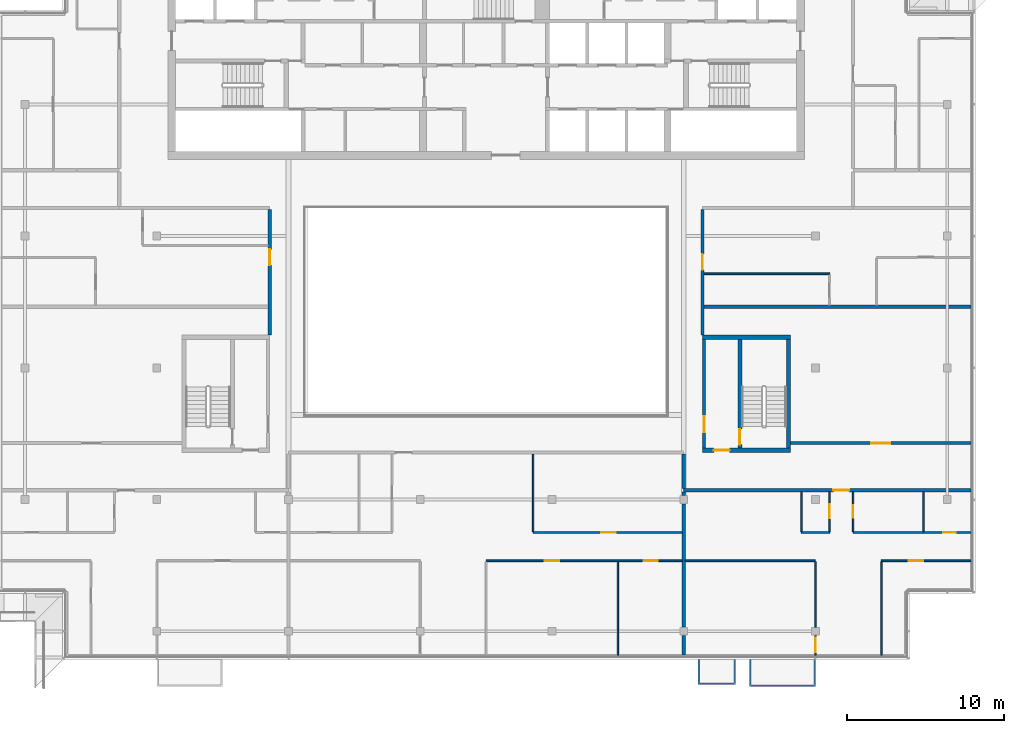
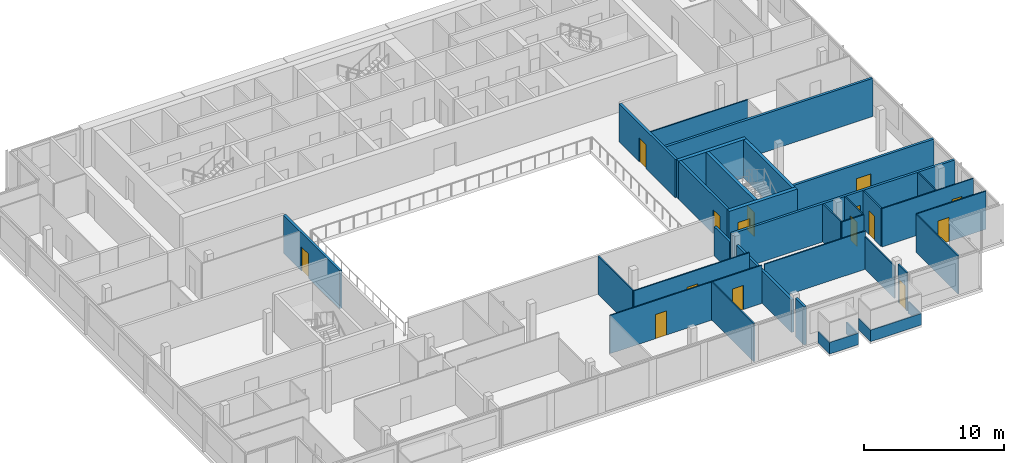
# One storey, part 17 of 24: 32 walls, 15 doors, 15 openings.
"""IFC4 building model written with IfcOpenShell, lengths in metres."""

import ifcopenshell
import ifcopenshell.guid

model = None  # the IFC model being written
_history = None  # IfcOwnerHistory: only IFC2X3 demands one
_inside = {}  # id of a spatial element -> (the spatial element, [elements in it])
_under = {}  # id of a project, library or spatial element -> (it, [spatial elements below it])
_declared = {}  # id of a project -> (the project, [libraries it declares])
_typed = {}  # id of a type object -> (the type object, [elements of that type])
_made_of = {}  # id of a material, layer set ... -> (it, [elements and type objects made of it])


def new_model(schema):
    """Start an empty IFC model of exactly this schema.

    Asked for "IFC4X3", IfcOpenShell would pick the latest addendum, in which some entities
    have other attributes; the version numbers below select the first issue.
    IFC2X3 requires an IfcOwnerHistory on every rooted entity: one is made here for all.
    """
    global model, _history
    if schema == "IFC4X3":
        model = ifcopenshell.file(schema_version=(4, 3, 0, 0))
    else:
        model = ifcopenshell.file(schema=schema)
    _inside.clear()
    _under.clear()
    _declared.clear()
    _typed.clear()
    _made_of.clear()
    _history = None
    if model.schema == "IFC2X3":
        org = make("IfcOrganization", Name="unknown")
        user = make(
            "IfcPersonAndOrganization",
            ThePerson=make("IfcPerson", FamilyName="unknown"),
            TheOrganization=org,
        )
        app = make(
            "IfcApplication",
            ApplicationDeveloper=org,
            Version="unknown",
            ApplicationFullName="unknown",
            ApplicationIdentifier="unknown",
        )
        _history = make(
            "IfcOwnerHistory",
            OwningUser=user,
            OwningApplication=app,
            ChangeAction="ADDED",
            CreationDate=0,
        )
    return model


def make(cls, **values):
    """One entity of the class cls with the attributes given. An attribute that is None is left unset."""
    return model.create_entity(
        cls, **{name: value for name, value in values.items() if value is not None}
    )


def rooted(cls, **values):
    """An entity with a GlobalId (a new one), such as an element, a storey or a relation."""
    return make(cls, GlobalId=ifcopenshell.guid.new(), OwnerHistory=_history, **values)


def si_unit(unit_type, name, prefix=None):
    """IfcSIUnit, for example si_unit("LENGTHUNIT", "METRE", prefix="MILLI")."""
    return make("IfcSIUnit", UnitType=unit_type, Prefix=prefix, Name=name)


def assignment(units):
    """IfcUnitAssignment: the units of a project."""
    return None if units is None else make("IfcUnitAssignment", Units=units)


def point(xyz):
    """IfcCartesianPoint."""
    return None if xyz is None else make("IfcCartesianPoint", Coordinates=xyz)


def direction(xyz):
    """IfcDirection."""
    return None if xyz is None else make("IfcDirection", DirectionRatios=xyz)


def frame(location, z_axis=None, x_axis=None):
    """IfcAxis2Placement3D, a coordinate frame: its origin and axes. An axis left out is left unset."""
    return make(
        "IfcAxis2Placement3D",
        Location=point(location),
        Axis=direction(z_axis),
        RefDirection=direction(x_axis),
    )


def frame_2d(location, x_axis=None):
    """IfcAxis2Placement2D, a coordinate frame in the plane: its origin and x axis."""
    return make(
        "IfcAxis2Placement2D", Location=point(location), RefDirection=direction(x_axis)
    )


def origin():
    """The frame at (0, 0, 0) with its axes left unset."""
    return frame((0.0, 0.0, 0.0))


def place(relative_to, where):
    """IfcLocalPlacement: puts the frame where relative to a parent placement (None: the world)."""
    return make(
        "IfcLocalPlacement", PlacementRelTo=relative_to, RelativePlacement=where
    )


def context(
    kind, dimensions, precision=None, world=None, true_north=None, identifier=None
):
    """IfcGeometricRepresentationContext, for example the 3D "Model" context."""
    return make(
        "IfcGeometricRepresentationContext",
        ContextIdentifier=identifier,
        ContextType=kind,
        CoordinateSpaceDimension=dimensions,
        Precision=precision,
        WorldCoordinateSystem=world,
        TrueNorth=true_north,
    )


def subcontext(parent, identifier, kind, view, scale=None):
    """IfcGeometricRepresentationSubContext, for example "Body" below "Model"."""
    return make(
        "IfcGeometricRepresentationSubContext",
        ContextIdentifier=identifier,
        ContextType=kind,
        ParentContext=parent,
        TargetScale=scale,
        TargetView=view,
    )


def project(units=None, contexts=None):
    """IfcProject with its units and contexts."""
    return rooted(
        "IfcProject",
        Name="project",
        RepresentationContexts=contexts,
        UnitsInContext=assignment(units),
    )


def spatial(cls, under=None, at=None, **own):
    """A site, building, storey or space (cls), placed at a placement, below another one or the project."""
    s = rooted(cls, ObjectPlacement=at, **own)
    if under is not None:
        _under.setdefault(under.id(), (under, []))[1].append(s)
    return s


def polyline(points):
    """IfcPolyline through the points."""
    return make("IfcPolyline", Points=[point(p) for p in points])


def profile(cls, at=None, kind="AREA", **sizes):
    """A parametric profile (cls). Its sizes go by their IFC names, for example OverallWidth=200.0."""
    return make(cls, ProfileType=kind, Position=at, **sizes)


def rectangle(**sizes):
    """IfcRectangleProfileDef."""
    return profile("IfcRectangleProfileDef", **sizes)


def outline(outer, holes=None, kind="AREA"):
    """IfcArbitraryClosedProfileDef: a profile drawn as a closed curve; with holes, ...WithVoids."""
    if holes is None:
        return make("IfcArbitraryClosedProfileDef", ProfileType=kind, OuterCurve=outer)
    return make(
        "IfcArbitraryProfileDefWithVoids",
        ProfileType=kind,
        OuterCurve=outer,
        InnerCurves=holes,
    )


def extrude(swept, where, along, depth):
    """IfcExtrudedAreaSolid: the profile swept, set in the frame where, extruded along a direction by depth."""
    return make(
        "IfcExtrudedAreaSolid",
        SweptArea=swept,
        Position=where,
        ExtrudedDirection=direction(along),
        Depth=depth,
    )


def shape(context_of_items, identifier, shape_type, items):
    """IfcShapeRepresentation: the items that make up one representation, for example the "Body"."""
    return make(
        "IfcShapeRepresentation",
        ContextOfItems=context_of_items,
        RepresentationIdentifier=identifier,
        RepresentationType=shape_type,
        Items=items,
    )


def material(Name=None, Category=None):
    """IfcMaterial."""
    return make("IfcMaterial", Name=Name, Category=Category)


def layer(
    of_material, thickness, ventilated=None, Name=None, Category=None, Priority=None
):
    """IfcMaterialLayer: one layer of a wall or slab, of a material (None: an air gap)."""
    return make(
        "IfcMaterialLayer",
        Material=of_material,
        LayerThickness=thickness,
        IsVentilated=ventilated,
        Name=Name,
        Category=Category,
        Priority=Priority,
    )


def layer_set(layers, Name=None):
    """IfcMaterialLayerSet."""
    return make("IfcMaterialLayerSet", MaterialLayers=layers, LayerSetName=Name)


def made_of(thing, what):
    """Note that an element or type object is made of a material, layer set ...; save() writes the relation."""
    if what is not None:
        _made_of.setdefault(what.id(), (what, []))[1].append(thing)
    return thing


def type_object(cls, material=None, **own):
    """A type object (cls), such as IfcWallType, which elements share."""
    return made_of(rooted(cls, **own), material)


def element(
    cls,
    number,
    at=None,
    inside=None,
    cuts=None,
    type_object=None,
    material=None,
    context=None,
    identifier="Body",
    shape_type=None,
    held_by="IfcProductDefinitionShape",
    body=None,
    shapes=None,
    **own,
):
    """One element of the class cls, such as IfcWall. Its Tag is "e" and its number.

    at: its placement. inside: the storey or other place that contains it. cuts: it is an
    opening in that element (IfcRelVoidsElement). A single representation is given by context,
    identifier, shape_type and body (its items); several are given by shapes. held_by: the class
    of the entity that holds the representations. save() writes the other relations.
    """
    e = rooted(cls, Tag="e%d" % number, ObjectPlacement=at, **own)
    if body is not None:
        shapes = [shape(context, identifier, shape_type, body)]
    if shapes is not None:
        e.Representation = make(held_by, Representations=shapes)
    if inside is not None:
        _inside.setdefault(inside.id(), (inside, []))[1].append(e)
    if cuts is not None:
        rooted(
            "IfcRelVoidsElement", RelatingBuildingElement=cuts, RelatedOpeningElement=e
        )
    if type_object is not None:
        _typed.setdefault(type_object.id(), (type_object, []))[1].append(e)
    return made_of(e, material)


def fill(opening, filler):
    """IfcRelFillsElement: the door or window that sits in an opening."""
    return rooted(
        "IfcRelFillsElement",
        RelatingOpeningElement=opening,
        RelatedBuildingElement=filler,
    )


def aggregate(whole, parts):
    """IfcRelAggregates: a whole, such as a stair, and the parts it consists of."""
    return rooted("IfcRelAggregates", RelatingObject=whole, RelatedObjects=parts)


def save(model, path):
    """Write the relations noted so far, then the file.

    IfcRelAggregates (storeys below a building ...), IfcRelContainedInSpatialStructure (elements
    in a storey), IfcRelDefinesByType, IfcRelAssociatesMaterial and IfcRelDeclares: one each for
    every whole, place, type object, material and project.
    """
    for whole, parts in _under.values():
        aggregate(whole, parts)
    for where, things in _inside.values():
        rooted(
            "IfcRelContainedInSpatialStructure",
            RelatedElements=things,
            RelatingStructure=where,
        )
    for kind, things in _typed.values():
        rooted("IfcRelDefinesByType", RelatedObjects=things, RelatingType=kind)
    for what, things in _made_of.values():
        rooted("IfcRelAssociatesMaterial", RelatedObjects=things, RelatingMaterial=what)
    for by, libraries in _declared.values():
        rooted("IfcRelDeclares", RelatingContext=by, RelatedDefinitions=libraries)
    model.write(path)


model = new_model("IFC4")

# Units and contexts
model_context = context("Model", 3, precision=1e-05, world=origin(), true_north=direction((0.0, 1.0)))
body_context = subcontext(model_context, "Body", "Model", "MODEL_VIEW")
ifc_project = project(units=[si_unit("LENGTHUNIT", "METRE"), si_unit("AREAUNIT", "SQUARE_METRE"), si_unit("VOLUMEUNIT", "CUBIC_METRE"), si_unit("PLANEANGLEUNIT", "RADIAN"), si_unit("MASSUNIT", "GRAM", prefix="KILO")], contexts=[model_context])

# Site, building, storey
site_placement = place(None, origin())
site = spatial("IfcSite", under=ifc_project, at=site_placement, CompositionType="ELEMENT")
building_placement = place(site_placement, origin())
building = spatial("IfcBuilding", under=site, at=building_placement, Name="Saffron Gate Tower", CompositionType="ELEMENT")
storey_placement = place(building_placement, frame((0.0, 0.0, 281.550048828125)))
storey = spatial("IfcBuildingStorey", under=building, at=storey_placement, Name="L68", CompositionType="ELEMENT", Elevation=281.550048828125)

# Wall, opening, door
ifc_material_1 = material(Name="Gypsum board partition on steel studs", Category="steel")
ifc_layer_1 = layer(ifc_material_1, 0.199951171875)
ifc_layer_set_1 = layer_set([ifc_layer_1], Name="CW10 Core partition 200")
wall_type_1 = type_object("IfcWallType", Name="CW10 Core partition 200", PredefinedType="PARTITIONING", material=ifc_layer_set_1)
wall_1_placement = place(storey_placement, frame((101.5, 43.5, 0.0), z_axis=(0.0, 0.0, 1.0), x_axis=(0.0, 1.0, 0.0)))
wall_1 = element("IfcWall", 1, at=wall_1_placement, inside=storey, type_object=wall_type_1, Name="Wall CW10-L68-E-2", PredefinedType="PARTITIONING", context=body_context, shape_type="SweptSolid", body=[
    extrude(rectangle(XDim=6.89990234375, YDim=0.199951171875, at=frame_2d((3.449951171875, 0.0))), origin(), (0.0, 0.0, 1.0), 3.320068359375),
])
opening_1_placement = place(wall_1_placement, frame((1.0, 0.0, 0.0)))
opening_1 = element("IfcOpeningElement", 2, at=opening_1_placement, cuts=wall_1, Name="Opening CR-22", PredefinedType="OPENING", context=body_context, shape_type="SweptSolid", body=[
    extrude(rectangle(XDim=1.0, YDim=2.10009765625, at=frame_2d((0.5, 1.050048828125))), frame((0.0, 0.10986328125, 0.0), z_axis=(0.0, -1.0, 0.0), x_axis=(1.0, 0.0, 0.0)), (0.0, 0.0, 1.0), 0.219970703125),
])
ifc_material_2 = material(Name="Steel fire door set", Category="steel")
door_type_1 = type_object("IfcDoorType", Name="CD4 Lobby door 1000x2100 EI 120", OperationType="NOTDEFINED", PredefinedType="DOOR", material=ifc_material_2)
door_1_placement = place(opening_1_placement, origin())
door_1 = element("IfcDoor", 3, at=door_1_placement, inside=storey, type_object=door_type_1, Name="DOOR CR-22", OperationType="SINGLE_SWING_LEFT", OverallHeight=2.10009765625, OverallWidth=1.0, PredefinedType="DOOR", context=body_context, shape_type="SweptSolid", body=[
    extrude(rectangle(XDim=1.0, YDim=2.10009765625, at=frame_2d((0.5, 1.050048828125))), frame((0.0, 0.02490234375, 0.0), z_axis=(0.0, -1.0, 0.0), x_axis=(1.0, 0.0, 0.0)), (0.0, 0.0, 1.0), 0.050048828125),
])
fill(opening_1, door_1)

ifc_material_3 = material(Name="Concrete C50", Category="concrete")
ifc_layer_2 = layer(ifc_material_3, 0.25)
ifc_layer_set_2 = layer_set([ifc_layer_2], Name="CW23 RC core wall 250 C50")
wall_type_2 = type_object("IfcWallType", Name="CW23 RC core wall 250 C50", PredefinedType="SOLIDWALL", material=ifc_layer_set_2)
wall_2_placement = place(storey_placement, frame((103.77490234375, 43.5, 0.0), z_axis=(0.0, 0.0, 1.0), x_axis=(0.0, 1.0, 0.0)))
wall_2 = element("IfcWall", 4, at=wall_2_placement, inside=storey, type_object=wall_type_2, Name="Wall CW23-L68-E-3", PredefinedType="SOLIDWALL", context=body_context, shape_type="SweptSolid", body=[
    extrude(rectangle(XDim=6.89990234375, YDim=0.25, at=frame_2d((3.449951171875, 0.0))), origin(), (0.0, 0.0, 1.0), 3.320068359375),
])
opening_2_placement = place(wall_2_placement, frame((0.199951171875, 0.0, 0.0)))
opening_2 = element("IfcOpeningElement", 5, at=opening_2_placement, cuts=wall_2, Name="Opening CR-23", PredefinedType="OPENING", context=body_context, shape_type="SweptSolid", body=[
    extrude(rectangle(XDim=1.0, YDim=2.10009765625, at=frame_2d((0.5, 1.050048828125))), frame((0.0, 0.135009765625, 0.0), z_axis=(0.0, -1.0, 0.0), x_axis=(1.0, 0.0, 0.0)), (0.0, 0.0, 1.0), 0.27001953125),
])
door_type_2 = type_object("IfcDoorType", Name="CD5 Stair door 1000x2100 EI 120", OperationType="NOTDEFINED", PredefinedType="DOOR", material=ifc_material_2)
door_2_placement = place(opening_2_placement, origin())
door_2 = element("IfcDoor", 6, at=door_2_placement, inside=storey, type_object=door_type_2, Name="DOOR CR-23", OperationType="SINGLE_SWING_RIGHT", OverallHeight=2.10009765625, OverallWidth=1.0, PredefinedType="DOOR", context=body_context, shape_type="SweptSolid", body=[
    extrude(rectangle(XDim=1.0, YDim=2.10009765625, at=frame_2d((0.5, 1.050048828125))), frame((0.0, 0.02490234375, 0.0), z_axis=(0.0, -1.0, 0.0), x_axis=(1.0, 0.0, 0.0)), (0.0, 0.0, 1.0), 0.050048828125),
])
fill(opening_2, door_2)

# Wall
wall_3_placement = place(storey_placement, frame((106.875, 43.5, 0.0), z_axis=(0.0, 0.0, 1.0), x_axis=(0.0, 1.0, 0.0)))
element("IfcWall", 7, at=wall_3_placement, inside=storey, type_object=wall_type_2, Name="Wall CW23-L68-E-4", PredefinedType="SOLIDWALL", context=body_context, shape_type="SweptSolid", body=[
    extrude(rectangle(XDim=6.89990234375, YDim=0.25, at=frame_2d((3.449951171875, 0.0))), origin(), (0.0, 0.0, 1.0), 3.320068359375),
])

# Wall, opening, door
ifc_layer_3 = layer(ifc_material_3, 0.300048828125)
ifc_layer_set_3 = layer_set([ifc_layer_3], Name="CW26 RC core wall 300 C50")
wall_type_3 = type_object("IfcWallType", Name="CW26 RC core wall 300 C50", PredefinedType="SOLIDWALL", material=ifc_layer_set_3)
wall_4_placement = place(storey_placement, frame((101.39990234375, 43.35009765625, 0.0), z_axis=(0.0, 0.0, 1.0), x_axis=(1.0, 0.0, 0.0)))
wall_4 = element("IfcWall", 8, at=wall_4_placement, inside=storey, type_object=wall_type_3, Name="Wall CW26-L68-E-1", PredefinedType="SOLIDWALL", context=body_context, shape_type="SweptSolid", body=[
    extrude(rectangle(XDim=5.60009765625, YDim=0.300048828125, at=frame_2d((2.800048828125, 0.0))), origin(), (0.0, 0.0, 1.0), 3.320068359375),
])
opening_3_placement = place(wall_4_placement, frame((0.72509765625, 0.0, 0.0)))
opening_3 = element("IfcOpeningElement", 9, at=opening_3_placement, cuts=wall_4, Name="Opening CR-21", PredefinedType="OPENING", context=body_context, shape_type="SweptSolid", body=[
    extrude(rectangle(XDim=1.0, YDim=2.10009765625, at=frame_2d((0.5, 1.050048828125))), frame((0.0, 0.16015625, 0.0), z_axis=(0.0, -1.0, 0.0), x_axis=(1.0, 0.0, 0.0)), (0.0, 0.0, 1.0), 0.320068359375),
])
door_3_placement = place(opening_3_placement, origin())
door_3 = element("IfcDoor", 10, at=door_3_placement, inside=storey, type_object=door_type_1, Name="DOOR CR-21", OperationType="SINGLE_SWING_RIGHT", OverallHeight=2.10009765625, OverallWidth=1.0, PredefinedType="DOOR", context=body_context, shape_type="SweptSolid", body=[
    extrude(rectangle(XDim=1.0, YDim=2.10009765625, at=frame_2d((0.5, 1.050048828125))), frame((0.0, 0.02490234375, 0.0), z_axis=(0.0, -1.0, 0.0), x_axis=(1.0, 0.0, 0.0)), (0.0, 0.0, 1.0), 0.050048828125),
])
fill(opening_3, door_3)

# Wall
wall_5_placement = place(storey_placement, frame((101.39990234375, 50.550048828125, 0.0), z_axis=(0.0, 0.0, 1.0), x_axis=(1.0, 0.0, 0.0)))
element("IfcWall", 11, at=wall_5_placement, inside=storey, type_object=wall_type_3, Name="Wall CW26-L68-E-5", PredefinedType="SOLIDWALL", context=body_context, shape_type="SweptSolid", body=[
    extrude(rectangle(XDim=5.60009765625, YDim=0.300048828125, at=frame_2d((2.800048828125, 0.0))), origin(), (0.0, 0.0, 1.0), 3.320068359375),
])

# Wall, opening, door
ifc_material_4 = material(Name="Plasterboard on steel studs", Category="steel")
ifc_layer_4 = layer(ifc_material_4, 0.10009765625)
ifc_layer_set_4 = layer_set([ifc_layer_4], Name="PW1 Partition 100")
wall_type_4 = type_object("IfcWallType", Name="PW1 Partition 100", PredefinedType="PARTITIONING", material=ifc_layer_set_4)
wall_6_placement = place(storey_placement, frame((118.52001953125, 36.300048828125, 0.0), z_axis=(0.0, 0.0, 1.0), x_axis=(-1.0, 0.0, 0.0)))
wall_6 = element("IfcWall", 12, at=wall_6_placement, inside=storey, type_object=wall_type_4, Name="Partition E3-2", PredefinedType="PARTITIONING", context=body_context, shape_type="SweptSolid", body=[
    extrude(rectangle(XDim=5.719970703125, YDim=0.10009765625, at=frame_2d((2.85986328125, 0.0))), origin(), (0.0, 0.0, 1.0), 3.320068359375),
])
opening_4_placement = place(wall_6_placement, frame((3.0576171875, 0.0, 0.0)))
opening_4 = element("IfcOpeningElement", 13, at=opening_4_placement, cuts=wall_6, Name="Opening E3-16", PredefinedType="OPENING", context=body_context, shape_type="SweptSolid", body=[
    extrude(rectangle(XDim=0.89990234375, YDim=2.10009765625, at=frame_2d((0.449951171875, 1.050048828125))), frame((0.0, 0.06005859375, 0.0), z_axis=(0.0, -1.0, 0.0), x_axis=(1.0, 0.0, 0.0)), (0.0, 0.0, 1.0), 0.1201171875),
])
ifc_material_5 = material(Name="Timber door set", Category="wood")
door_type_3 = type_object("IfcDoorType", Name="RD1 Room door 900x2100", OperationType="NOTDEFINED", PredefinedType="DOOR", material=ifc_material_5)
door_4_placement = place(opening_4_placement, origin())
door_4 = element("IfcDoor", 14, at=door_4_placement, inside=storey, type_object=door_type_3, Name="Door E3-16", OperationType="SINGLE_SWING_RIGHT", OverallHeight=2.10009765625, OverallWidth=0.89990234375, PredefinedType="DOOR", context=body_context, shape_type="SweptSolid", body=[
    extrude(rectangle(XDim=0.89990234375, YDim=2.10009765625, at=frame_2d((0.449951171875, 1.050048828125))), frame((0.0, 0.02490234375, 0.0), z_axis=(0.0, -1.0, 0.0), x_axis=(1.0, 0.0, 0.0)), (0.0, 0.0, 1.0), 0.050048828125),
])
fill(opening_4, door_4)

wall_7_placement = place(storey_placement, frame((90.60009765625, 38.10009765625, 0.0), z_axis=(0.0, 0.0, 1.0), x_axis=(1.0, 0.0, 0.0)))
wall_7 = element("IfcWall", 15, at=wall_7_placement, inside=storey, type_object=wall_type_4, Name="Partition E3-4", PredefinedType="PARTITIONING", context=body_context, shape_type="SweptSolid", body=[
    extrude(rectangle(XDim=9.5, YDim=0.10009765625, at=frame_2d((4.75, 0.0))), origin(), (0.0, 0.0, 1.0), 3.320068359375),
])
opening_5_placement = place(wall_7_placement, frame((4.35009765625, 0.0, 0.0)))
opening_5 = element("IfcOpeningElement", 16, at=opening_5_placement, cuts=wall_7, Name="Opening E3-14", PredefinedType="OPENING", context=body_context, shape_type="SweptSolid", body=[
    extrude(rectangle(XDim=0.89990234375, YDim=2.10009765625, at=frame_2d((0.449951171875, 1.050048828125))), frame((0.0, 0.06005859375, 0.0), z_axis=(0.0, -1.0, 0.0), x_axis=(1.0, 0.0, 0.0)), (0.0, 0.0, 1.0), 0.1201171875),
])
door_5_placement = place(opening_5_placement, origin())
door_5 = element("IfcDoor", 17, at=door_5_placement, inside=storey, type_object=door_type_3, Name="Door E3-14", OperationType="SINGLE_SWING_RIGHT", OverallHeight=2.10009765625, OverallWidth=0.89990234375, PredefinedType="DOOR", context=body_context, shape_type="SweptSolid", body=[
    extrude(rectangle(XDim=0.89990234375, YDim=2.10009765625, at=frame_2d((0.449951171875, 1.050048828125))), frame((0.0, 0.02490234375, 0.0), z_axis=(0.0, -1.0, 0.0), x_axis=(1.0, 0.0, 0.0)), (0.0, 0.0, 1.0), 0.050048828125),
])
fill(opening_5, door_5)

# Wall
wall_8_placement = place(storey_placement, frame((107.699951171875, 38.10009765625, 0.0), z_axis=(0.0, 0.0, 1.0), x_axis=(1.0, 0.0, 0.0)))
element("IfcWall", 18, at=wall_8_placement, inside=storey, type_object=wall_type_4, Name="Partition E3-5", PredefinedType="PARTITIONING", context=body_context, shape_type="SweptSolid", body=[
    extrude(rectangle(XDim=1.800048828125, YDim=0.10009765625, at=frame_2d((0.89990234375, 0.0))), origin(), (0.0, 0.0, 1.0), 3.320068359375),
])

# Wall, opening, door
wall_9_placement = place(storey_placement, frame((111.0, 38.10009765625, 0.0), z_axis=(0.0, 0.0, 1.0), x_axis=(1.0, 0.0, 0.0)))
wall_9 = element("IfcWall", 19, at=wall_9_placement, inside=storey, type_object=wall_type_4, Name="Partition E3-6", PredefinedType="PARTITIONING", context=body_context, shape_type="SweptSolid", body=[
    extrude(rectangle(XDim=7.52001953125, YDim=0.10009765625, at=frame_2d((3.760009765625, 0.0))), origin(), (0.0, 0.0, 1.0), 3.320068359375),
])
opening_6_placement = place(wall_9_placement, frame((5.75, 0.0, 0.0)))
opening_6 = element("IfcOpeningElement", 20, at=opening_6_placement, cuts=wall_9, Name="Opening E3-27", PredefinedType="OPENING", context=body_context, shape_type="SweptSolid", body=[
    extrude(rectangle(XDim=0.800048828125, YDim=2.10009765625, at=frame_2d((0.39990234375, 1.050048828125))), frame((0.0, 0.06005859375, 0.0), z_axis=(0.0, -1.0, 0.0), x_axis=(1.0, 0.0, 0.0)), (0.0, 0.0, 1.0), 0.1201171875),
])
door_type_4 = type_object("IfcDoorType", Name="RD2 Bathroom door 800x2100", OperationType="NOTDEFINED", PredefinedType="DOOR", material=ifc_material_5)
door_6_placement = place(opening_6_placement, origin())
door_6 = element("IfcDoor", 21, at=door_6_placement, inside=storey, type_object=door_type_4, Name="Door E3-27", OperationType="SINGLE_SWING_RIGHT", OverallHeight=2.10009765625, OverallWidth=0.800048828125, PredefinedType="DOOR", context=body_context, shape_type="SweptSolid", body=[
    extrude(rectangle(XDim=0.800048828125, YDim=2.10009765625, at=frame_2d((0.39990234375, 1.050048828125))), frame((0.0, 0.02490234375, 0.0), z_axis=(0.0, -1.0, 0.0), x_axis=(1.0, 0.0, 0.0)), (0.0, 0.0, 1.0), 0.050048828125),
])
fill(opening_6, door_6)

# Walls
wall_10_placement = place(storey_placement, frame((101.5, 54.60009765625, 0.0), z_axis=(0.0, 0.0, 1.0), x_axis=(1.0, 0.0, 0.0)))
element("IfcWall", 22, at=wall_10_placement, inside=storey, type_object=wall_type_4, Name="Partition E3-14", PredefinedType="PARTITIONING", context=body_context, shape_type="SweptSolid", body=[
    extrude(rectangle(XDim=8.0, YDim=0.10009765625, at=frame_2d((4.0, 0.0))), origin(), (0.0, 0.0, 1.0), 3.320068359375),
])
wall_11_placement = place(storey_placement, frame((90.60009765625, 43.10009765625, 0.0), z_axis=(0.0, 0.0, 1.0), x_axis=(0.0, -1.0, 0.0)))
element("IfcWall", 23, at=wall_11_placement, inside=storey, type_object=wall_type_4, Name="Partition E3-54", PredefinedType="PARTITIONING", context=body_context, shape_type="SweptSolid", body=[
    extrude(rectangle(XDim=4.9501953125, YDim=0.10009765625, at=frame_2d((2.47509765625, 0.0))), origin(), (0.0, 0.0, 1.0), 3.320068359375),
])
wall_12_placement = place(storey_placement, frame((96.0, 36.25, 0.0), z_axis=(0.0, 0.0, 1.0), x_axis=(0.0, -1.0, 0.0)))
element("IfcWall", 24, at=wall_12_placement, inside=storey, type_object=wall_type_4, Name="Partition E3-55", PredefinedType="PARTITIONING", context=body_context, shape_type="SweptSolid", body=[
    extrude(rectangle(XDim=5.969970703125, YDim=0.10009765625, at=frame_2d((2.98486328125, 0.0))), origin(), (0.0, 0.0, 1.0), 3.320068359375),
])
wall_13_placement = place(storey_placement, frame((107.699951171875, 40.699951171875, 0.0), z_axis=(0.0, 0.0, 1.0), x_axis=(0.0, -1.0, 0.0)))
element("IfcWall", 25, at=wall_13_placement, inside=storey, type_object=wall_type_4, Name="Partition E3-61", PredefinedType="PARTITIONING", context=body_context, shape_type="SweptSolid", body=[
    extrude(rectangle(XDim=2.550048828125, YDim=0.10009765625, at=frame_2d((1.27490234375, 0.0))), origin(), (0.0, 0.0, 1.0), 3.320068359375),
])

# Wall, opening, door
wall_14_placement = place(storey_placement, frame((108.60009765625, 30.280029296875, 0.0), z_axis=(0.0, 0.0, 1.0), x_axis=(0.0, 1.0, 0.0)))
wall_14 = element("IfcWall", 26, at=wall_14_placement, inside=storey, type_object=wall_type_4, Name="Partition E3-62", PredefinedType="PARTITIONING", context=body_context, shape_type="SweptSolid", body=[
    extrude(rectangle(XDim=1.25, YDim=0.10009765625, at=frame_2d((0.625, 0.0))), origin(), (0.0, 0.0, 1.0), 3.320068359375),
])
opening_7_placement = place(wall_14_placement, frame((0.199951171875, 0.0, 0.0)))
opening_7 = element("IfcOpeningElement", 27, at=opening_7_placement, cuts=wall_14, Name="Opening E3-15", PredefinedType="OPENING", context=body_context, shape_type="SweptSolid", body=[
    extrude(rectangle(XDim=0.89990234375, YDim=2.10009765625, at=frame_2d((0.449951171875, 1.050048828125))), frame((0.0, 0.06005859375, 0.0), z_axis=(0.0, -1.0, 0.0), x_axis=(1.0, 0.0, 0.0)), (0.0, 0.0, 1.0), 0.1201171875),
])
door_7_placement = place(opening_7_placement, origin())
door_7 = element("IfcDoor", 28, at=door_7_placement, inside=storey, type_object=door_type_3, Name="Door E3-15", OperationType="SINGLE_SWING_RIGHT", OverallHeight=2.10009765625, OverallWidth=0.89990234375, PredefinedType="DOOR", context=body_context, shape_type="SweptSolid", body=[
    extrude(rectangle(XDim=0.89990234375, YDim=2.10009765625, at=frame_2d((0.449951171875, 1.050048828125))), frame((0.0, 0.02490234375, 0.0), z_axis=(0.0, -1.0, 0.0), x_axis=(1.0, 0.0, 0.0)), (0.0, 0.0, 1.0), 0.050048828125),
])
fill(opening_7, door_7)

# Wall
wall_15_placement = place(storey_placement, frame((108.60009765625, 36.25, 0.0), z_axis=(0.0, 0.0, 1.0), x_axis=(0.0, -1.0, 0.0)))
element("IfcWall", 29, at=wall_15_placement, inside=storey, type_object=wall_type_4, Name="Partition E3-63", PredefinedType="PARTITIONING", context=body_context, shape_type="SweptSolid", body=[
    extrude(rectangle(XDim=4.179931640625, YDim=0.10009765625, at=frame_2d((2.08984375, 0.0))), origin(), (0.0, 0.0, 1.0), 2.829833984375),
])

# Wall, opening, door
wall_16_placement = place(storey_placement, frame((109.5, 38.14990234375, 0.0), z_axis=(0.0, 0.0, 1.0), x_axis=(0.0, 1.0, 0.0)))
wall_16 = element("IfcWall", 30, at=wall_16_placement, inside=storey, type_object=wall_type_4, Name="Partition E3-64", PredefinedType="PARTITIONING", context=body_context, shape_type="SweptSolid", body=[
    extrude(rectangle(XDim=2.550048828125, YDim=0.10009765625, at=frame_2d((1.27490234375, 0.0))), origin(), (0.0, 0.0, 1.0), 3.320068359375),
])
opening_8_placement = place(wall_16_placement, frame((0.85009765625, 0.0, 0.0)))
opening_8 = element("IfcOpeningElement", 31, at=opening_8_placement, cuts=wall_16, Name="Opening E3-17", PredefinedType="OPENING", context=body_context, shape_type="SweptSolid", body=[
    extrude(rectangle(XDim=0.89990234375, YDim=2.10009765625, at=frame_2d((0.449951171875, 1.050048828125))), frame((0.0, 0.06005859375, 0.0), z_axis=(0.0, -1.0, 0.0), x_axis=(1.0, 0.0, 0.0)), (0.0, 0.0, 1.0), 0.1201171875),
])
door_8_placement = place(opening_8_placement, origin())
door_8 = element("IfcDoor", 32, at=door_8_placement, inside=storey, type_object=door_type_3, Name="Door E3-17", OperationType="SINGLE_SWING_RIGHT", OverallHeight=2.10009765625, OverallWidth=0.89990234375, PredefinedType="DOOR", context=body_context, shape_type="SweptSolid", body=[
    extrude(rectangle(XDim=0.89990234375, YDim=2.10009765625, at=frame_2d((0.449951171875, 1.050048828125))), frame((0.0, 0.02490234375, 0.0), z_axis=(0.0, -1.0, 0.0), x_axis=(1.0, 0.0, 0.0)), (0.0, 0.0, 1.0), 0.050048828125),
])
fill(opening_8, door_8)

wall_17_placement = place(storey_placement, frame((111.0, 40.699951171875, 0.0), z_axis=(0.0, 0.0, 1.0), x_axis=(0.0, -1.0, 0.0)))
wall_17 = element("IfcWall", 33, at=wall_17_placement, inside=storey, type_object=wall_type_4, Name="Partition E3-68", PredefinedType="PARTITIONING", context=body_context, shape_type="SweptSolid", body=[
    extrude(rectangle(XDim=2.550048828125, YDim=0.10009765625, at=frame_2d((1.27490234375, 0.0))), origin(), (0.0, 0.0, 1.0), 3.320068359375),
])
opening_9_placement = place(wall_17_placement, frame((0.85009765625, 0.0, 0.0)))
opening_9 = element("IfcOpeningElement", 34, at=opening_9_placement, cuts=wall_17, Name="Opening E3-26", PredefinedType="OPENING", context=body_context, shape_type="SweptSolid", body=[
    extrude(rectangle(XDim=0.800048828125, YDim=2.10009765625, at=frame_2d((0.39990234375, 1.050048828125))), frame((0.0, 0.06005859375, 0.0), z_axis=(0.0, -1.0, 0.0), x_axis=(1.0, 0.0, 0.0)), (0.0, 0.0, 1.0), 0.1201171875),
])
door_9_placement = place(opening_9_placement, origin())
door_9 = element("IfcDoor", 35, at=door_9_placement, inside=storey, type_object=door_type_4, Name="Door E3-26", OperationType="SINGLE_SWING_LEFT", OverallHeight=2.10009765625, OverallWidth=0.800048828125, PredefinedType="DOOR", context=body_context, shape_type="SweptSolid", body=[
    extrude(rectangle(XDim=0.800048828125, YDim=2.10009765625, at=frame_2d((0.39990234375, 1.050048828125))), frame((0.0, 0.02490234375, 0.0), z_axis=(0.0, -1.0, 0.0), x_axis=(1.0, 0.0, 0.0)), (0.0, 0.0, 1.0), 0.050048828125),
])
fill(opening_9, door_9)

# Walls
wall_18_placement = place(storey_placement, frame((112.800048828125, 36.25, 0.0), z_axis=(0.0, 0.0, 1.0), x_axis=(0.0, -1.0, 0.0)))
element("IfcWall", 36, at=wall_18_placement, inside=storey, type_object=wall_type_4, Name="Partition E3-70", PredefinedType="PARTITIONING", context=body_context, shape_type="SweptSolid", body=[
    extrude(rectangle(XDim=5.969970703125, YDim=0.10009765625, at=frame_2d((2.98486328125, 0.0))), origin(), (0.0, 0.0, 1.0), 3.320068359375),
])
wall_19_placement = place(storey_placement, frame((115.5, 40.699951171875, 0.0), z_axis=(0.0, 0.0, 1.0), x_axis=(0.0, -1.0, 0.0)))
element("IfcWall", 37, at=wall_19_placement, inside=storey, type_object=wall_type_4, Name="Partition E3-73", PredefinedType="PARTITIONING", context=body_context, shape_type="SweptSolid", body=[
    extrude(rectangle(XDim=2.550048828125, YDim=0.10009765625, at=frame_2d((1.27490234375, 0.0))), origin(), (0.0, 0.0, 1.0), 3.320068359375),
])

# Wall, openings, doors
wall_20_placement = place(storey_placement, frame((100.10009765625, 36.300048828125, 0.0), z_axis=(0.0, 0.0, 1.0), x_axis=(-1.0, 0.0, 0.0)))
wall_20 = element("IfcWall", 38, at=wall_20_placement, inside=storey, type_object=wall_type_4, Name="Partition E3-76", PredefinedType="PARTITIONING", context=body_context, shape_type="SweptSolid", body=[
    extrude(rectangle(XDim=12.5, YDim=0.10009765625, at=frame_2d((6.25, 0.0))), origin(), (0.0, 0.0, 1.0), 3.320068359375),
])
opening_10_placement = place(wall_20_placement, frame((1.550048828125, 0.0, 0.0)))
opening_10 = element("IfcOpeningElement", 39, at=opening_10_placement, cuts=wall_20, Name="Opening E3-13", PredefinedType="OPENING", context=body_context, shape_type="SweptSolid", body=[
    extrude(rectangle(XDim=0.89990234375, YDim=2.10009765625, at=frame_2d((0.449951171875, 1.050048828125))), frame((0.0, 0.06005859375, 0.0), z_axis=(0.0, -1.0, 0.0), x_axis=(1.0, 0.0, 0.0)), (0.0, 0.0, 1.0), 0.1201171875),
])
opening_11_placement = place(wall_20_placement, frame((7.85009765625, 0.0, 0.0)))
opening_11 = element("IfcOpeningElement", 40, at=opening_11_placement, cuts=wall_20, Name="Opening E3-12", PredefinedType="OPENING", context=body_context, shape_type="SweptSolid", body=[
    extrude(rectangle(XDim=0.89990234375, YDim=2.10009765625, at=frame_2d((0.449951171875, 1.050048828125))), frame((0.0, 0.06005859375, 0.0), z_axis=(0.0, -1.0, 0.0), x_axis=(1.0, 0.0, 0.0)), (0.0, 0.0, 1.0), 0.1201171875),
])
door_10_placement = place(opening_10_placement, origin())
door_10 = element("IfcDoor", 41, at=door_10_placement, inside=storey, type_object=door_type_3, Name="Door E3-13", OperationType="SINGLE_SWING_LEFT", OverallHeight=2.10009765625, OverallWidth=0.89990234375, PredefinedType="DOOR", context=body_context, shape_type="SweptSolid", body=[
    extrude(rectangle(XDim=0.89990234375, YDim=2.10009765625, at=frame_2d((0.449951171875, 1.050048828125))), frame((0.0, 0.02490234375, 0.0), z_axis=(0.0, -1.0, 0.0), x_axis=(1.0, 0.0, 0.0)), (0.0, 0.0, 1.0), 0.050048828125),
])
fill(opening_10, door_10)
door_11_placement = place(opening_11_placement, origin())
door_11 = element("IfcDoor", 42, at=door_11_placement, inside=storey, type_object=door_type_3, Name="Door E3-12", OperationType="SINGLE_SWING_RIGHT", OverallHeight=2.10009765625, OverallWidth=0.89990234375, PredefinedType="DOOR", context=body_context, shape_type="SweptSolid", body=[
    extrude(rectangle(XDim=0.89990234375, YDim=2.10009765625, at=frame_2d((0.449951171875, 1.050048828125))), frame((0.0, 0.02490234375, 0.0), z_axis=(0.0, -1.0, 0.0), x_axis=(1.0, 0.0, 0.0)), (0.0, 0.0, 1.0), 0.050048828125),
])
fill(opening_11, door_11)

# Walls
wall_21_placement = place(storey_placement, frame((100.300048828125, 36.300048828125, 0.0), z_axis=(0.0, 0.0, 1.0), x_axis=(1.0, 0.0, 0.0)))
element("IfcWall", 43, at=wall_21_placement, inside=storey, type_object=wall_type_4, Name="Partition E3-77", PredefinedType="PARTITIONING", context=body_context, shape_type="SweptSolid", body=[
    extrude(rectangle(XDim=8.300048828125, YDim=0.10009765625, at=frame_2d((4.14990234375, 0.0))), origin(), (0.0, 0.0, 1.0), 3.320068359375),
])
ifc_material_6 = material(Name="Clay brick masonry, rendered", Category="masonry")
ifc_layer_5 = layer(ifc_material_6, 0.199951171875)
ifc_layer_set_5 = layer_set([ifc_layer_5], Name="PW2 Demising wall 200")
wall_type_5 = type_object("IfcWallType", Name="PW2 Demising wall 200", PredefinedType="PARTITIONING", material=ifc_layer_set_5)
wall_22_placement = place(storey_placement, frame((100.199951171875, 31.530029296875, 0.0), z_axis=(0.0, 0.0, 1.0), x_axis=(0.0, -1.0, 0.0)))
element("IfcWall", 44, at=wall_22_placement, inside=storey, type_object=wall_type_5, Name="Wall E3-57", PredefinedType="PARTITIONING", context=body_context, shape_type="SweptSolid", body=[
    extrude(rectangle(XDim=1.25, YDim=0.199951171875, at=frame_2d((0.625, 0.0))), origin(), (0.0, 0.0, 1.0), 3.320068359375),
])
wall_23_placement = place(storey_placement, frame((100.199951171875, 39.929931640625, 0.0), z_axis=(0.0, 0.0, 1.0), x_axis=(0.0, -1.0, 0.0)))
element("IfcWall", 45, at=wall_23_placement, inside=storey, type_object=wall_type_5, Name="Wall E3-58", PredefinedType="PARTITIONING", context=body_context, shape_type="SweptSolid", body=[
    extrude(rectangle(XDim=7.85986328125, YDim=0.199951171875, at=frame_2d((3.929931640625, 0.0))), origin(), (0.0, 0.0, 1.0), 2.829833984375),
])
wall_24_placement = place(storey_placement, frame((100.199951171875, 40.699951171875, 0.0), z_axis=(0.0, 0.0, 1.0), x_axis=(0.0, -1.0, 0.0)))
element("IfcWall", 46, at=wall_24_placement, inside=storey, type_object=wall_type_5, Name="Wall E3-59", PredefinedType="PARTITIONING", context=body_context, shape_type="SweptSolid", body=[
    extrude(rectangle(XDim=0.22998046875, YDim=0.199951171875, at=frame_2d((0.114990234375, 0.0))), origin(), (0.0, 0.0, 1.0), 3.320068359375),
])

# Wall, opening, door
ifc_layer_6 = layer(ifc_material_6, 0.199951171875)
ifc_layer_set_6 = layer_set([ifc_layer_6], Name="PW3 Corridor wall 200")
wall_type_6 = type_object("IfcWallType", Name="PW3 Corridor wall 200", PredefinedType="PARTITIONING", material=ifc_layer_set_6)
wall_25_placement = place(storey_placement, frame((118.52001953125, 40.800048828125, 0.0), z_axis=(0.0, 0.0, 1.0), x_axis=(-1.0, 0.0, 0.0)))
wall_25 = element("IfcWall", 47, at=wall_25_placement, inside=storey, type_object=wall_type_6, Name="Wall E3-8", PredefinedType="PARTITIONING", context=body_context, shape_type="SweptSolid", body=[
    extrude(rectangle(XDim=18.320068359375, YDim=0.199951171875, at=frame_2d((9.16015625, 0.0))), origin(), (0.0, 0.0, 1.0), 3.320068359375),
])
opening_12_placement = place(wall_25_placement, frame((7.77001953125, 0.0, 0.0)))
opening_12 = element("IfcOpeningElement", 48, at=opening_12_placement, cuts=wall_25, Name="Opening E3-3", PredefinedType="OPENING", context=body_context, shape_type="SweptSolid", body=[
    extrude(rectangle(XDim=1.0, YDim=2.10009765625, at=frame_2d((0.5, 1.050048828125))), frame((0.0, 0.10986328125, 0.0), z_axis=(0.0, -1.0, 0.0), x_axis=(1.0, 0.0, 0.0)), (0.0, 0.0, 1.0), 0.219970703125),
])
ifc_material_7 = material(Name="Timber fire door set", Category="wood")
door_type_5 = type_object("IfcDoorType", Name="FD1 Flat entry door 1000x2100", OperationType="NOTDEFINED", PredefinedType="DOOR", material=ifc_material_7)
door_12_placement = place(opening_12_placement, origin())
door_12 = element("IfcDoor", 49, at=door_12_placement, inside=storey, type_object=door_type_5, Name="Door E3-3", OperationType="SINGLE_SWING_RIGHT", OverallHeight=2.10009765625, OverallWidth=1.0, PredefinedType="DOOR", context=body_context, shape_type="SweptSolid", body=[
    extrude(rectangle(XDim=1.0, YDim=2.10009765625, at=frame_2d((0.5, 1.050048828125))), frame((0.0, 0.02490234375, 0.0), z_axis=(0.0, -1.0, 0.0), x_axis=(1.0, 0.0, 0.0)), (0.0, 0.0, 1.0), 0.050048828125),
])
fill(opening_12, door_12)

wall_26_placement = place(storey_placement, frame((107.0, 43.800048828125, 0.0), z_axis=(0.0, 0.0, 1.0), x_axis=(1.0, 0.0, 0.0)))
wall_26 = element("IfcWall", 50, at=wall_26_placement, inside=storey, type_object=wall_type_6, Name="Wall E3-11", PredefinedType="PARTITIONING", context=body_context, shape_type="SweptSolid", body=[
    extrude(rectangle(XDim=11.52001953125, YDim=0.199951171875, at=frame_2d((5.760009765625, 0.0))), origin(), (0.0, 0.0, 1.0), 3.320068359375),
])
opening_13_placement = place(wall_26_placement, frame((5.159912109375, 0.0, 0.0)))
opening_13 = element("IfcOpeningElement", 51, at=opening_13_placement, cuts=wall_26, Name="Opening E3-32", PredefinedType="OPENING", context=body_context, shape_type="SweptSolid", body=[
    extrude(rectangle(XDim=1.199951171875, YDim=2.10009765625, at=frame_2d((0.60009765625, 1.050048828125))), frame((0.0, 0.10986328125, 0.0), z_axis=(0.0, -1.0, 0.0), x_axis=(1.0, 0.0, 0.0)), (0.0, 0.0, 1.0), 0.219970703125),
])
door_type_6 = type_object("IfcDoorType", Name="HD1 Hall door 1200x2100", OperationType="NOTDEFINED", PredefinedType="DOOR", material=ifc_material_5)
door_13_placement = place(opening_13_placement, origin())
door_13 = element("IfcDoor", 52, at=door_13_placement, inside=storey, type_object=door_type_6, Name="Door E3-32", OperationType="SINGLE_SWING_LEFT", OverallHeight=2.10009765625, OverallWidth=1.199951171875, PredefinedType="DOOR", context=body_context, shape_type="SweptSolid", body=[
    extrude(rectangle(XDim=1.199951171875, YDim=2.10009765625, at=frame_2d((0.60009765625, 1.050048828125))), frame((0.0, 0.02490234375, 0.0), z_axis=(0.0, -1.0, 0.0), x_axis=(1.0, 0.0, 0.0)), (0.0, 0.0, 1.0), 0.050048828125),
])
fill(opening_13, door_13)

wall_27_placement = place(storey_placement, frame((73.800048828125, 50.699951171875, 0.0), z_axis=(0.0, 0.0, 1.0), x_axis=(0.0, 1.0, 0.0)))
wall_27 = element("IfcWall", 53, at=wall_27_placement, inside=storey, type_object=wall_type_6, Name="Wall E3-44", PredefinedType="PARTITIONING", context=body_context, shape_type="SweptSolid", body=[
    extrude(rectangle(XDim=8.0, YDim=0.199951171875, at=frame_2d((4.0, 0.0))), origin(), (0.0, 0.0, 1.0), 3.320068359375),
])
opening_14_placement = place(wall_27_placement, frame((4.449951171875, 0.0, 0.0)))
opening_14 = element("IfcOpeningElement", 54, at=opening_14_placement, cuts=wall_27, Name="Opening E3-4", PredefinedType="OPENING", context=body_context, shape_type="SweptSolid", body=[
    extrude(rectangle(XDim=1.0, YDim=2.10009765625, at=frame_2d((0.5, 1.050048828125))), frame((0.0, 0.10986328125, 0.0), z_axis=(0.0, -1.0, 0.0), x_axis=(1.0, 0.0, 0.0)), (0.0, 0.0, 1.0), 0.219970703125),
])
door_14_placement = place(opening_14_placement, origin())
door_14 = element("IfcDoor", 55, at=door_14_placement, inside=storey, type_object=door_type_5, Name="Door E3-4", OperationType="SINGLE_SWING_RIGHT", OverallHeight=2.10009765625, OverallWidth=1.0, PredefinedType="DOOR", context=body_context, shape_type="SweptSolid", body=[
    extrude(rectangle(XDim=1.0, YDim=2.10009765625, at=frame_2d((0.5, 1.050048828125))), frame((0.0, 0.02490234375, 0.0), z_axis=(0.0, -1.0, 0.0), x_axis=(1.0, 0.0, 0.0)), (0.0, 0.0, 1.0), 0.050048828125),
])
fill(opening_14, door_14)

# Wall
wall_28_placement = place(storey_placement, frame((100.199951171875, 43.10009765625, 0.0), z_axis=(0.0, 0.0, 1.0), x_axis=(0.0, -1.0, 0.0)))
element("IfcWall", 56, at=wall_28_placement, inside=storey, type_object=wall_type_6, Name="Wall E3-56", PredefinedType="PARTITIONING", context=body_context, shape_type="SweptSolid", body=[
    extrude(rectangle(XDim=2.2001953125, YDim=0.199951171875, at=frame_2d((1.10009765625, 0.0))), origin(), (0.0, 0.0, 1.0), 2.530029296875),
])

# Wall, opening, door
wall_29_placement = place(storey_placement, frame((101.39990234375, 58.699951171875, 0.0), z_axis=(0.0, 0.0, 1.0), x_axis=(0.0, -1.0, 0.0)))
wall_29 = element("IfcWall", 57, at=wall_29_placement, inside=storey, type_object=wall_type_6, Name="Wall E3-60", PredefinedType="PARTITIONING", context=body_context, shape_type="SweptSolid", body=[
    extrude(rectangle(XDim=8.0, YDim=0.199951171875, at=frame_2d((4.0, 0.0))), origin(), (0.0, 0.0, 1.0), 3.320068359375),
])
opening_15_placement = place(wall_29_placement, frame((2.85009765625, 0.0, 0.0)))
opening_15 = element("IfcOpeningElement", 58, at=opening_15_placement, cuts=wall_29, Name="Opening E3-6", PredefinedType="OPENING", context=body_context, shape_type="SweptSolid", body=[
    extrude(rectangle(XDim=1.0, YDim=2.10009765625, at=frame_2d((0.5, 1.050048828125))), frame((0.0, 0.10986328125, 0.0), z_axis=(0.0, -1.0, 0.0), x_axis=(1.0, 0.0, 0.0)), (0.0, 0.0, 1.0), 0.219970703125),
])
door_15_placement = place(opening_15_placement, origin())
door_15 = element("IfcDoor", 59, at=door_15_placement, inside=storey, type_object=door_type_5, Name="Door E3-6", OperationType="SINGLE_SWING_LEFT", OverallHeight=2.10009765625, OverallWidth=1.0, PredefinedType="DOOR", context=body_context, shape_type="SweptSolid", body=[
    extrude(rectangle(XDim=1.0, YDim=2.10009765625, at=frame_2d((0.5, 1.050048828125))), frame((0.0, 0.02490234375, 0.0), z_axis=(0.0, -1.0, 0.0), x_axis=(1.0, 0.0, 0.0)), (0.0, 0.0, 1.0), 0.050048828125),
])
fill(opening_15, door_15)

# Walls
ifc_layer_7 = layer(ifc_material_6, 0.199951171875)
ifc_layer_set_7 = layer_set([ifc_layer_7], Name="PW5 Room wall 200")
wall_type_7 = type_object("IfcWallType", Name="PW5 Room wall 200", PredefinedType="PARTITIONING", material=ifc_layer_set_7)
wall_30_placement = place(storey_placement, frame((101.5, 52.5, 0.0), z_axis=(0.0, 0.0, 1.0), x_axis=(1.0, 0.0, 0.0)))
element("IfcWall", 60, at=wall_30_placement, inside=storey, type_object=wall_type_7, Name="Wall E3-13", PredefinedType="PARTITIONING", context=body_context, shape_type="SweptSolid", body=[
    extrude(rectangle(XDim=17.02001953125, YDim=0.199951171875, at=frame_2d((8.510009765625, 0.0))), origin(), (0.0, 0.0, 1.0), 3.320068359375),
])
ifc_material_8 = material(Name="Rendered insulated panel, white")
ifc_layer_8 = layer(ifc_material_8, 0.10009765625)
ifc_layer_set_8 = layer_set([ifc_layer_8], Name="WB3 box parapet white")
wall_type_8 = type_object("IfcWallType", Name="WB3 box parapet white", PredefinedType="SOLIDWALL", material=ifc_layer_set_8)
wall_31_placement = place(storey_placement, origin())
element("IfcWall", 61, at=wall_31_placement, inside=storey, type_object=wall_type_8, Name="WINDOW BOX parapet", PredefinedType="SOLIDWALL", context=body_context, shape_type="SweptSolid", body=[
    extrude(outline(polyline([(101.10009765625, 30.0), (101.199951171875, 30.0), (101.199951171875, 28.5), (103.39990234375, 28.5), (103.39990234375, 30.0), (103.5, 30.0), (103.5, 28.39990234375), (101.10009765625, 28.39990234375), (101.10009765625, 30.0)])), origin(), (0.0, 0.0, 1.0), 1.0),
])
wall_32_placement = place(storey_placement, origin())
element("IfcWall", 62, at=wall_32_placement, inside=storey, type_object=wall_type_8, Name="WINDOW BOX parapet", PredefinedType="SOLIDWALL", context=body_context, shape_type="SweptSolid", body=[
    extrude(outline(polyline([(104.39990234375, 30.0), (104.5, 30.0), (104.5, 28.366943359375), (108.5, 28.366943359375), (108.5, 30.0), (108.60009765625, 30.0), (108.60009765625, 28.26708984375), (104.39990234375, 28.26708984375), (104.39990234375, 30.0)])), origin(), (0.0, 0.0, 1.0), 1.0),
])

save(model, "model.ifc")
